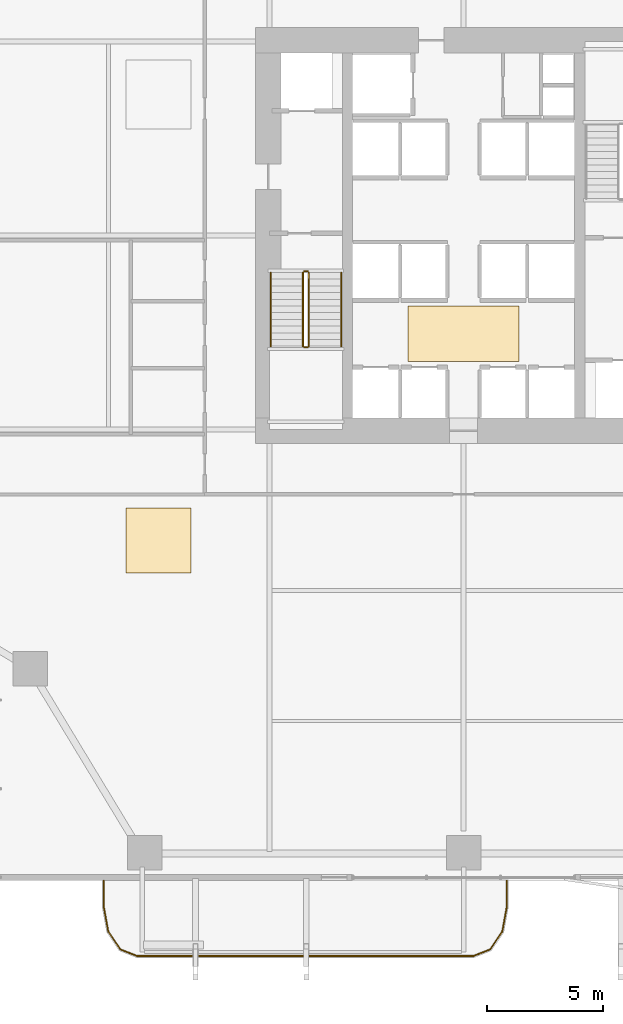
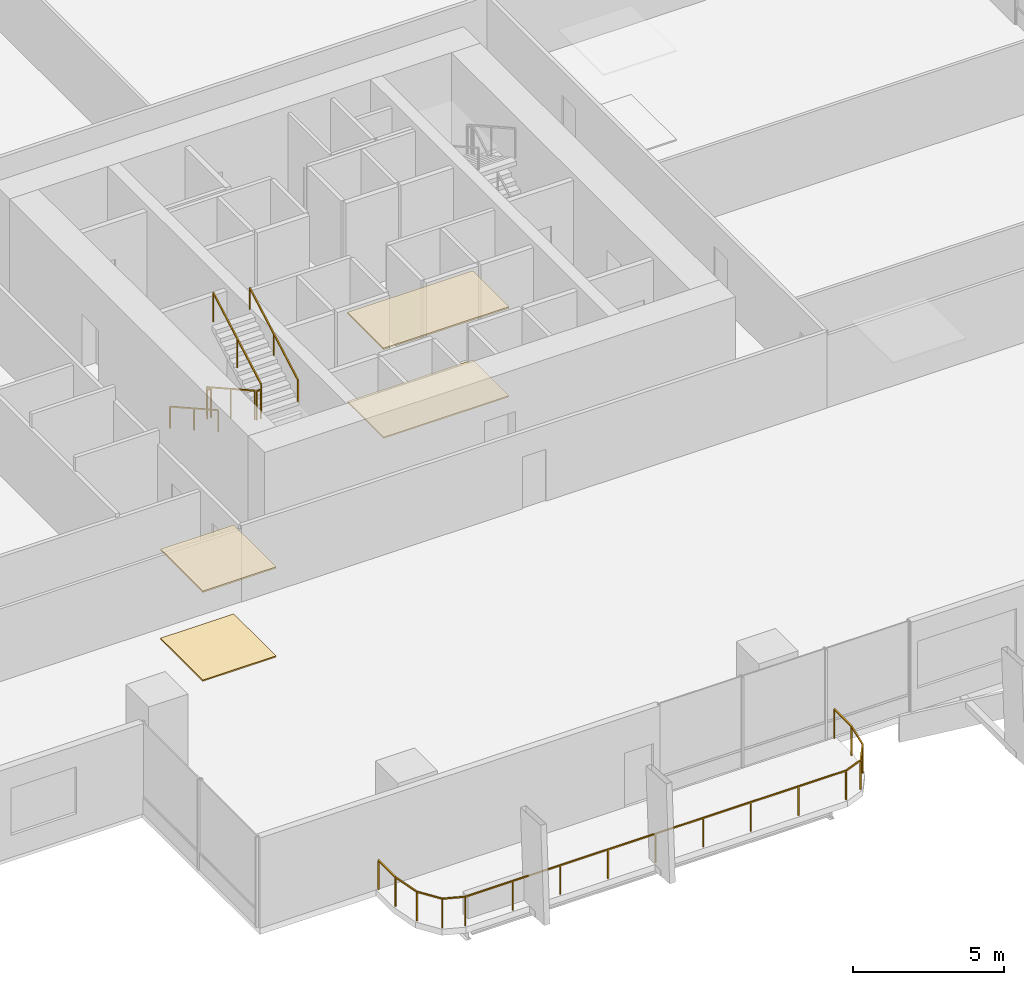
# One storey, part 28 of 30: 7 railings, 4 coverings.
"""IFC4 building model written with IfcOpenShell, lengths in metres."""

from ifc_helpers import new_model, si_unit, direction, frame, origin, origin_2d, place, context, subcontext, project, spatial, polyline, rectangle, outline, extrude, material, layer, layer_set, type_object, element, save


model = new_model("IFC4")

# Units and contexts
model_context = context("Model", 3, precision=1e-05, world=origin(), true_north=direction((0.0, 1.0)))
body_context = subcontext(model_context, "Body", "Model", "MODEL_VIEW")
ifc_project = project(units=[si_unit("LENGTHUNIT", "METRE"), si_unit("AREAUNIT", "SQUARE_METRE"), si_unit("VOLUMEUNIT", "CUBIC_METRE"), si_unit("PLANEANGLEUNIT", "RADIAN"), si_unit("MASSUNIT", "GRAM", prefix="KILO")], contexts=[model_context])

# Site, building, storey
site_placement = place(None, origin())
site = spatial("IfcSite", under=ifc_project, at=site_placement, CompositionType="ELEMENT")
building_placement = place(site_placement, origin())
building = spatial("IfcBuilding", under=site, at=building_placement, Name="Belovzor Exchange Tower", CompositionType="ELEMENT")
storey_placement = place(building_placement, frame((0.0, 0.0, 30.0)))
storey = spatial("IfcBuildingStorey", under=building, at=storey_placement, Name="L06", CompositionType="ELEMENT", Elevation=30.0)

# Railings
ifc_material_1 = material(Name="Stainless Steel Grade 304", Category="steel")
railing_type_1 = type_object("IfcRailingType", Name="Brushed Stainless Steel Stair Handrail 900", PredefinedType="HANDRAIL", material=ifc_material_1)
railing_1_placement = place(storey_placement, frame((20.449951171875, 27.199951171875, 0.16259765625)))
element("IfcRailing", 1, at=railing_1_placement, inside=storey, type_object=railing_type_1, Name="L06 ST-1 stair handrail 1", PredefinedType="HANDRAIL", context=body_context, shape_type="SweptSolid", body=[
    extrude(rectangle(XDim=0.048095703125, YDim=0.048095703125, at=origin_2d()), frame((0.0, 0.0, 0.8759765625), z_axis=(0.0, -0.872390997893, 0.488808701636), x_axis=(1.0, 0.0, 0.0)), (0.0, 0.0, 1.0), 3.656494140625),
    extrude(rectangle(XDim=0.0419921875, YDim=0.0419921875, at=origin_2d()), origin(), (0.0, 0.0, 1.0), 0.851806640625),
    extrude(rectangle(XDim=0.0419921875, YDim=0.0419921875, at=origin_2d()), frame((0.0, -1.594970703125, 0.8935546875)), (0.0, 0.0, 1.0), 0.851806640625),
    extrude(rectangle(XDim=0.0419921875, YDim=0.0419921875, at=origin_2d()), frame((0.0, -3.18994140625, 1.787353515625)), (0.0, 0.0, 1.0), 0.851806640625),
])
railing_2_placement = place(storey_placement, frame((23.5, 24.010009765625, 2.112548828125)))
element("IfcRailing", 2, at=railing_2_placement, inside=storey, type_object=railing_type_1, Name="L06 ST-1 stair handrail 2", PredefinedType="HANDRAIL", context=body_context, shape_type="SweptSolid", body=[
    extrude(rectangle(XDim=0.048095703125, YDim=0.048095703125, at=origin_2d()), frame((0.0, 0.0, 0.8759765625), z_axis=(0.0, 0.872390997893, 0.488808701636), x_axis=(-1.0, 0.0, 0.0)), (0.0, 0.0, 1.0), 3.656494140625),
    extrude(rectangle(XDim=0.0419921875, YDim=0.0419921875, at=origin_2d()), origin(), (0.0, 0.0, 1.0), 0.851806640625),
    extrude(rectangle(XDim=0.0419921875, YDim=0.0419921875, at=origin_2d()), frame((0.0, 1.594970703125, 0.8935546875)), (0.0, 0.0, 1.0), 0.851806640625),
    extrude(rectangle(XDim=0.0419921875, YDim=0.0419921875, at=origin_2d()), frame((0.0, 3.18994140625, 1.787353515625)), (0.0, 0.0, 1.0), 0.851806640625),
])
ifc_material_2 = material(Name="Stainless Steel and Laminated Safety Glass", Category="steel")
railing_type_2 = type_object("IfcRailingType", Name="Laminated Glass & Stainless Steel Balcony Balustrade 1200", PredefinedType="BALUSTRADE", material=ifc_material_2)
railing_3_placement = place(storey_placement, frame((13.22998046875, 0.889892578125, 0.0)))
element("IfcRailing", 3, at=railing_3_placement, inside=storey, type_object=railing_type_2, Name="GR-1 Balcony Balustrade L06 South", PredefinedType="BALUSTRADE", context=body_context, shape_type="SweptSolid", body=[
    extrude(rectangle(XDim=0.048095703125, YDim=0.048095703125, at=origin_2d()), frame((0.0, 0.0, 1.17578125), z_axis=(0.0, -1.0, 0.0), x_axis=(1.0, 0.0, 0.0)), (0.0, 0.0, 1.0), 1.1328125),
    extrude(rectangle(XDim=0.048095703125, YDim=0.048095703125, at=origin_2d()), frame((0.0, -1.1328125, 1.17578125), z_axis=(0.180083182347, -0.983651385113, 0.0), x_axis=(0.983651385113, 0.180083182347, 0.0)), (0.0, 0.0, 1.0), 1.093994140625),
    extrude(rectangle(XDim=0.048095703125, YDim=0.048095703125, at=origin_2d()), frame((0.197021484375, -2.208984375, 1.17578125), z_axis=(0.562768145367, -0.826614792125, 0.0), x_axis=(0.826614792125, 0.562768145367, 0.0)), (0.0, 0.0, 1.0), 0.9326171875),
    extrude(rectangle(XDim=0.048095703125, YDim=0.048095703125, at=origin_2d()), frame((0.721923828125, -2.97998046875, 1.17578125), z_axis=(0.930809580156, -0.365504480807, 0.0), x_axis=(0.365504480807, 0.930809580156, 0.0)), (0.0, 0.0, 1.0), 0.76611328125),
    extrude(rectangle(XDim=0.048095703125, YDim=0.048095703125, at=origin_2d()), frame((1.43505859375, -3.260009765625, 1.17578125), z_axis=(1.0, 0.0, 0.0), x_axis=(0.0, 1.0, 0.0)), (0.0, 0.0, 1.0), 14.570068359375),
    extrude(rectangle(XDim=0.048095703125, YDim=0.048095703125, at=origin_2d()), frame((16.005126953125, -3.260009765625, 1.17578125), z_axis=(0.930766990125, 0.365612923861, 0.0), x_axis=(-0.365612923861, 0.930766990125, 0.0)), (0.0, 0.0, 1.0), 0.765869140625),
    extrude(rectangle(XDim=0.048095703125, YDim=0.048095703125, at=origin_2d()), frame((16.718017578125, -2.97998046875, 1.17578125), z_axis=(0.562768145367, 0.826614792125, 0.0), x_axis=(-0.826614792125, 0.562768145367, 0.0)), (0.0, 0.0, 1.0), 0.9326171875),
    extrude(rectangle(XDim=0.048095703125, YDim=0.048095703125, at=origin_2d()), frame((17.242919921875, -2.208984375, 1.17578125), z_axis=(0.180083182347, 0.983651385113, 0.0), x_axis=(-0.983651385113, 0.180083182347, 0.0)), (0.0, 0.0, 1.0), 1.093994140625),
    extrude(rectangle(XDim=0.048095703125, YDim=0.048095703125, at=origin_2d()), frame((17.43994140625, -1.1328125, 1.17578125), z_axis=(0.0, 1.0, 0.0), x_axis=(-1.0, 0.0, 0.0)), (0.0, 0.0, 1.0), 1.1328125),
    extrude(rectangle(XDim=0.0419921875, YDim=0.0419921875, at=origin_2d()), origin(), (0.0, 0.0, 1.0), 1.15185546875),
    extrude(rectangle(XDim=0.0419921875, YDim=0.0419921875, at=origin_2d()), frame((0.0, -1.1328125, 0.0)), (0.0, 0.0, 1.0), 1.15185546875),
    extrude(rectangle(XDim=0.0419921875, YDim=0.0419921875, at=origin_2d()), frame((0.197021484375, -2.208984375, 0.0)), (0.0, 0.0, 1.0), 1.15185546875),
    extrude(rectangle(XDim=0.0419921875, YDim=0.0419921875, at=origin_2d()), frame((0.721923828125, -2.97998046875, 0.0)), (0.0, 0.0, 1.0), 1.15185546875),
    extrude(rectangle(XDim=0.0419921875, YDim=0.0419921875, at=origin_2d()), frame((1.43505859375, -3.260009765625, 0.0)), (0.0, 0.0, 1.0), 1.15185546875),
    extrude(rectangle(XDim=0.0419921875, YDim=0.0419921875, at=origin_2d()), frame((3.25634765625, -3.260009765625, 0.0)), (0.0, 0.0, 1.0), 1.15185546875),
    extrude(rectangle(XDim=0.0419921875, YDim=0.0419921875, at=origin_2d()), frame((5.07763671875, -3.260009765625, 0.0)), (0.0, 0.0, 1.0), 1.15185546875),
    extrude(rectangle(XDim=0.0419921875, YDim=0.0419921875, at=origin_2d()), frame((6.89892578125, -3.260009765625, 0.0)), (0.0, 0.0, 1.0), 1.15185546875),
    extrude(rectangle(XDim=0.0419921875, YDim=0.0419921875, at=origin_2d()), frame((8.72021484375, -3.260009765625, 0.0)), (0.0, 0.0, 1.0), 1.15185546875),
    extrude(rectangle(XDim=0.0419921875, YDim=0.0419921875, at=origin_2d()), frame((10.541259765625, -3.260009765625, 0.0)), (0.0, 0.0, 1.0), 1.15185546875),
    extrude(rectangle(XDim=0.0419921875, YDim=0.0419921875, at=origin_2d()), frame((12.362548828125, -3.260009765625, 0.0)), (0.0, 0.0, 1.0), 1.15185546875),
    extrude(rectangle(XDim=0.0419921875, YDim=0.0419921875, at=origin_2d()), frame((14.183837890625, -3.260009765625, 0.0)), (0.0, 0.0, 1.0), 1.15185546875),
    extrude(rectangle(XDim=0.0419921875, YDim=0.0419921875, at=origin_2d()), frame((16.005126953125, -3.260009765625, 0.0)), (0.0, 0.0, 1.0), 1.15185546875),
    extrude(rectangle(XDim=0.0419921875, YDim=0.0419921875, at=origin_2d()), frame((16.718017578125, -2.97998046875, 0.0)), (0.0, 0.0, 1.0), 1.15185546875),
    extrude(rectangle(XDim=0.0419921875, YDim=0.0419921875, at=origin_2d()), frame((17.242919921875, -2.208984375, 0.0)), (0.0, 0.0, 1.0), 1.15185546875),
    extrude(rectangle(XDim=0.0419921875, YDim=0.0419921875, at=origin_2d()), frame((17.43994140625, -1.1328125, 0.0)), (0.0, 0.0, 1.0), 1.15185546875),
    extrude(rectangle(XDim=0.0419921875, YDim=0.0419921875, at=origin_2d()), frame((17.43994140625, 0.0, 0.0)), (0.0, 0.0, 1.0), 1.15185546875),
])
ifc_material_3 = material(Name="Steel S355", Category="steel")
railing_type_3 = type_object("IfcRailingType", Name="Painted Steel Stairwell Guardrail 1200", PredefinedType="GUARDRAIL", material=ifc_material_3)
railing_4_placement = place(storey_placement, frame((21.85009765625, 27.199951171875, 0.16259765625)))
element("IfcRailing", 4, at=railing_4_placement, inside=storey, type_object=railing_type_3, Name="L06 ST-1 stair guard 1", PredefinedType="GUARDRAIL", context=body_context, shape_type="SweptSolid", body=[
    extrude(rectangle(XDim=0.048095703125, YDim=0.048095703125, at=origin_2d()), frame((0.0, 0.0, 1.17578125), z_axis=(0.0, -0.872390997893, 0.488808701636), x_axis=(1.0, 0.0, 0.0)), (0.0, 0.0, 1.0), 3.656494140625),
    extrude(rectangle(XDim=0.0419921875, YDim=0.0419921875, at=origin_2d()), origin(), (0.0, 0.0, 1.0), 1.15185546875),
    extrude(rectangle(XDim=0.0419921875, YDim=0.0419921875, at=origin_2d()), frame((0.0, -1.594970703125, 0.8935546875)), (0.0, 0.0, 1.0), 1.15185546875),
    extrude(rectangle(XDim=0.0419921875, YDim=0.0419921875, at=origin_2d()), frame((0.0, -3.18994140625, 1.787353515625)), (0.0, 0.0, 1.0), 1.15185546875),
])
railing_5_placement = place(storey_placement, frame((21.89990234375, 23.9599609375, 1.949951171875)))
element("IfcRailing", 5, at=railing_5_placement, inside=storey, type_object=railing_type_3, Name="L06 ST-1 stair guard 2", PredefinedType="GUARDRAIL", context=body_context, shape_type="SweptSolid", body=[
    extrude(rectangle(XDim=0.048095703125, YDim=0.048095703125, at=origin_2d()), frame((0.0, 0.0, 1.17578125), z_axis=(1.0, 0.0, 0.0), x_axis=(0.0, 1.0, 0.0)), (0.0, 0.0, 1.0), 0.150146484375),
    extrude(rectangle(XDim=0.0419921875, YDim=0.0419921875, at=origin_2d()), origin(), (0.0, 0.0, 1.0), 1.15185546875),
    extrude(rectangle(XDim=0.0419921875, YDim=0.0419921875, at=origin_2d()), frame((0.150146484375, 0.0, 0.0)), (0.0, 0.0, 1.0), 1.15185546875),
])
railing_6_placement = place(storey_placement, frame((22.10009765625, 24.010009765625, 2.112548828125)))
element("IfcRailing", 6, at=railing_6_placement, inside=storey, type_object=railing_type_3, Name="L06 ST-1 stair guard 3", PredefinedType="GUARDRAIL", context=body_context, shape_type="SweptSolid", body=[
    extrude(rectangle(XDim=0.048095703125, YDim=0.048095703125, at=origin_2d()), frame((0.0, 0.0, 1.17578125), z_axis=(0.0, 0.872390997893, 0.488808701636), x_axis=(-1.0, 0.0, 0.0)), (0.0, 0.0, 1.0), 3.656494140625),
    extrude(rectangle(XDim=0.0419921875, YDim=0.0419921875, at=origin_2d()), origin(), (0.0, 0.0, 1.0), 1.15185546875),
    extrude(rectangle(XDim=0.0419921875, YDim=0.0419921875, at=origin_2d()), frame((0.0, 1.594970703125, 0.8935546875)), (0.0, 0.0, 1.0), 1.15185546875),
    extrude(rectangle(XDim=0.0419921875, YDim=0.0419921875, at=origin_2d()), frame((0.0, 3.18994140625, 1.787353515625)), (0.0, 0.0, 1.0), 1.15185546875),
])
railing_7_placement = place(storey_placement, frame((21.89990234375, 27.25, 0.0)))
element("IfcRailing", 7, at=railing_7_placement, inside=storey, type_object=railing_type_3, Name="L06 ST-1 stair guard 4", PredefinedType="GUARDRAIL", context=body_context, shape_type="SweptSolid", body=[
    extrude(rectangle(XDim=0.048095703125, YDim=0.048095703125, at=origin_2d()), frame((0.0, 0.0, 1.17578125), z_axis=(1.0, 0.0, 0.0), x_axis=(0.0, 1.0, 0.0)), (0.0, 0.0, 1.0), 0.150146484375),
    extrude(rectangle(XDim=0.0419921875, YDim=0.0419921875, at=origin_2d()), origin(), (0.0, 0.0, 1.0), 1.15185546875),
    extrude(rectangle(XDim=0.0419921875, YDim=0.0419921875, at=origin_2d()), frame((0.150146484375, 0.0, 0.0)), (0.0, 0.0, 1.0), 1.15185546875),
])

# Coverings
ifc_material_4 = material(Name="Perforated Powder-Coated Aluminium", Category="aluminium")
ifc_layer_1 = layer(ifc_material_4, 0.06005859375)
ifc_layer_set_1 = layer_set([ifc_layer_1], Name="Perforated Powder-Coated Aluminium")
covering_type_1 = type_object("IfcCoveringType", Name="Perforated Acoustic Metal Tile Suspended Ceiling 60", PredefinedType="CEILING", material=ifc_layer_set_1)
covering_1_placement = place(storey_placement, frame((0.0, 0.0, 3.590087890625)))
element("IfcCovering", 8, at=covering_1_placement, inside=storey, type_object=covering_type_1, Name="CLG-AC60 Suspended Ceiling CLG-L06-LOB", PredefinedType="CEILING", context=body_context, shape_type="SweptSolid", body=[
    extrude(outline(polyline([(26.39990234375, 23.35009765625), (31.199951171875, 23.35009765625), (31.199951171875, 25.75), (26.39990234375, 25.75), (26.39990234375, 23.35009765625)])), origin(), (0.0, 0.0, 1.0), 0.059814453125),
])
covering_2_placement = place(storey_placement, frame((0.0, 0.0, 3.590087890625)))
element("IfcCovering", 9, at=covering_2_placement, inside=storey, type_object=covering_type_1, Name="CLG-AC60 Suspended Ceiling CLG-L06-Z0", PredefinedType="CEILING", context=body_context, shape_type="SweptSolid", body=[
    extrude(outline(polyline([(14.199951171875, 14.199951171875), (17.0, 14.199951171875), (17.0, 17.0), (14.199951171875, 17.0), (14.199951171875, 14.199951171875)])), origin(), (0.0, 0.0, 1.0), 0.059814453125),
])
ifc_material_5 = material(Name="Polished Natural Granite Tile", Category="masonry")
ifc_layer_2 = layer(ifc_material_5, 0.050048828125)
ifc_layer_set_2 = layer_set([ifc_layer_2], Name="Polished Natural Granite Tile")
covering_type_2 = type_object("IfcCoveringType", Name="Polished Karelian Granite & Raised Access Floor Finish 50", PredefinedType="FLOORING", material=ifc_layer_set_2)
covering_3_placement = place(storey_placement, origin())
element("IfcCovering", 10, at=covering_3_placement, inside=storey, type_object=covering_type_2, Name="FLR-GR50 Floor Finish FLR-L06-LOB", PredefinedType="FLOORING", context=body_context, shape_type="SweptSolid", body=[
    extrude(outline(polyline([(26.39990234375, 23.35009765625), (31.199951171875, 23.35009765625), (31.199951171875, 25.75), (26.39990234375, 25.75), (26.39990234375, 23.35009765625)])), origin(), (0.0, 0.0, 1.0), 0.050048828125),
])
covering_4_placement = place(storey_placement, origin())
element("IfcCovering", 11, at=covering_4_placement, inside=storey, type_object=covering_type_2, Name="FLR-GR50 Floor Finish FLR-L06-Z0", PredefinedType="FLOORING", context=body_context, shape_type="SweptSolid", body=[
    extrude(outline(polyline([(14.199951171875, 14.199951171875), (17.0, 14.199951171875), (17.0, 17.0), (14.199951171875, 17.0), (14.199951171875, 14.199951171875)])), origin(), (0.0, 0.0, 1.0), 0.050048828125),
])

save(model, "model.ifc")
